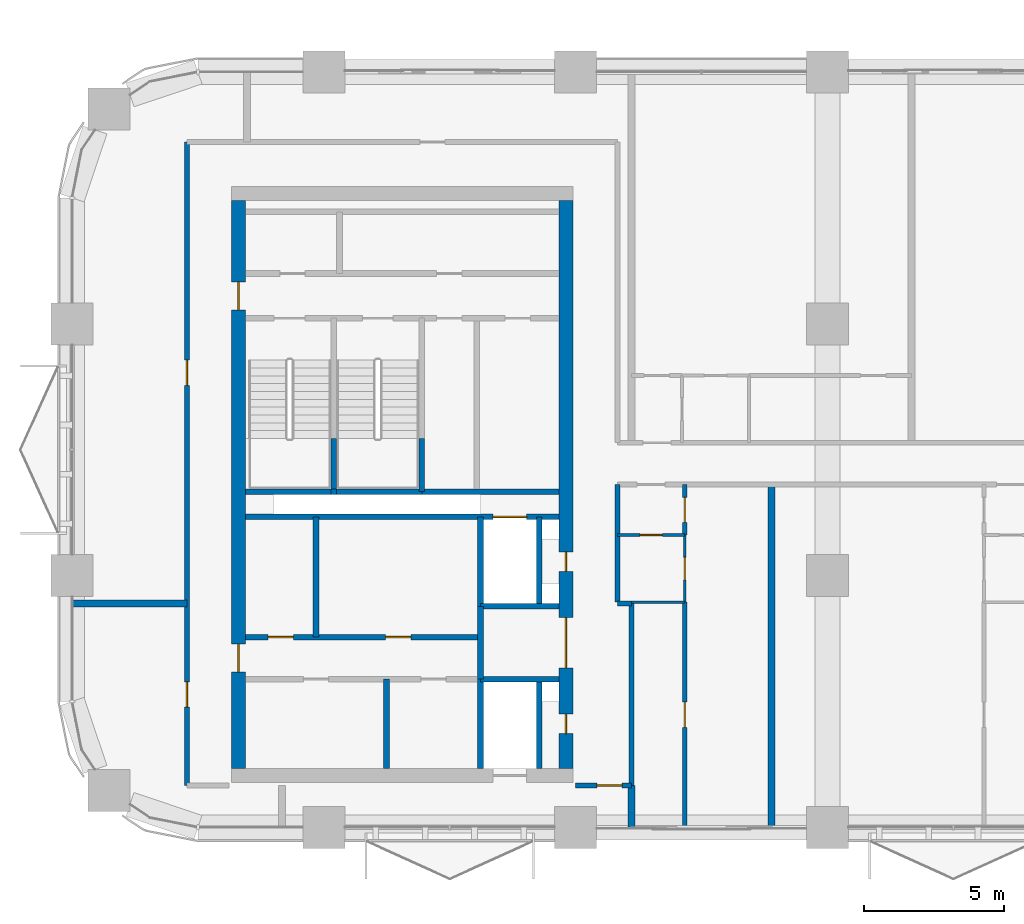
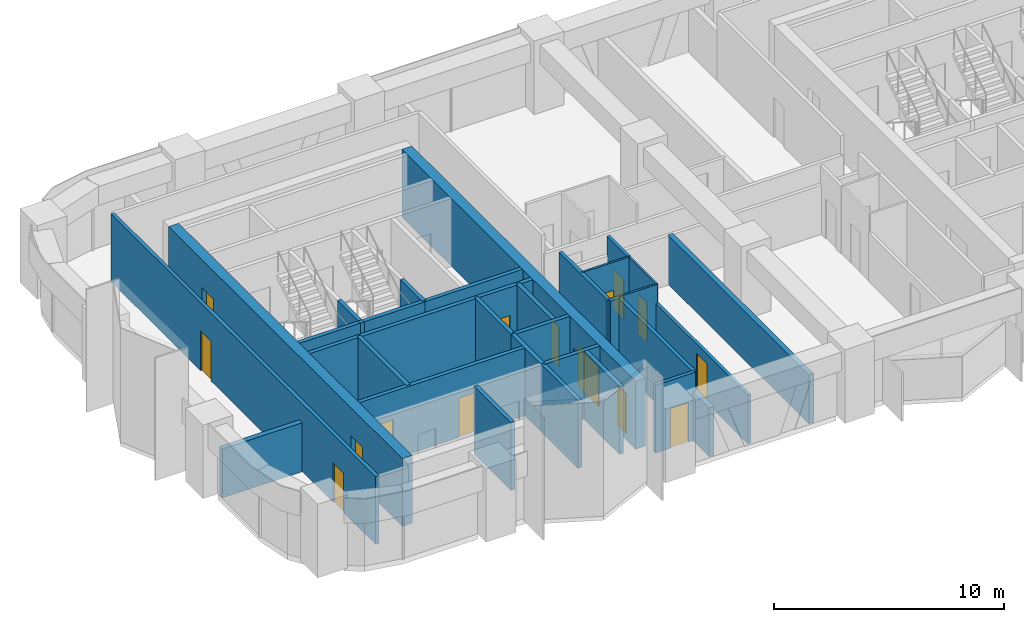
# One storey, part 8 of 14: 32 walls, 15 doors, 15 openings.
"""IFC4 building model written with IfcOpenShell, lengths in metres."""

from ifc_helpers import new_model, si_unit, direction, frame, frame_2d, origin, place, context, subcontext, project, spatial, rectangle, extrude, material, layer, layer_set, type_object, element, fill, save


model = new_model("IFC4")

# Units and contexts
model_context = context("Model", 3, precision=1e-05, world=origin(), true_north=direction((0.0, 1.0)))
body_context = subcontext(model_context, "Body", "Model", "MODEL_VIEW")
ifc_project = project(units=[si_unit("LENGTHUNIT", "METRE"), si_unit("AREAUNIT", "SQUARE_METRE"), si_unit("VOLUMEUNIT", "CUBIC_METRE"), si_unit("PLANEANGLEUNIT", "RADIAN"), si_unit("MASSUNIT", "GRAM", prefix="KILO")], contexts=[model_context])

# Site, building, storey
site_placement = place(None, origin())
site = spatial("IfcSite", under=ifc_project, at=site_placement, CompositionType="ELEMENT")
building_placement = place(site_placement, origin())
building = spatial("IfcBuilding", under=site, at=building_placement, Name="Tessera Arch", CompositionType="ELEMENT")
storey_placement = place(building_placement, frame((0.0, 0.0, 142.699951171875)))
storey = spatial("IfcBuildingStorey", under=building, at=storey_placement, Name="L33", CompositionType="ELEMENT", Elevation=142.699951171875)

# Walls
ifc_material_1 = material(Name="Gypsum board on steel stud", Category="steel")
ifc_layer_1 = layer(ifc_material_1, 0.125)
ifc_layer_set_1 = layer_set([ifc_layer_1], Name="Core partition 125 EI 60")
wall_type_1 = type_object("IfcWallType", Name="Core partition 125 EI 60", PredefinedType="PARTITIONING", material=ifc_layer_set_1)
wall_1_placement = place(storey_placement, frame((8.719970703125, 33.800048828125, 0.0), z_axis=(0.0, 0.0, 1.0), x_axis=(0.0, 1.0, 0.0)))
element("IfcWall", 1, at=wall_1_placement, inside=storey, type_object=wall_type_1, Name="L33 C2 partition wall 1", PredefinedType="PARTITIONING", context=body_context, shape_type="SweptSolid", body=[
    extrude(rectangle(XDim=4.300048828125, YDim=0.199951171875, at=frame_2d((2.14990234375, 0.0))), origin(), (0.0, 0.0, 1.0), 3.60009765625),
])
wall_2_placement = place(storey_placement, frame((11.239990234375, 29.10009765625, 0.0), z_axis=(0.0, 0.0, 1.0), x_axis=(0.0, 1.0, 0.0)))
element("IfcWall", 2, at=wall_2_placement, inside=storey, type_object=wall_type_1, Name="L33 C2 partition wall 5", PredefinedType="PARTITIONING", context=body_context, shape_type="SweptSolid", body=[
    extrude(rectangle(XDim=3.199951171875, YDim=0.199951171875, at=frame_2d((1.60009765625, 0.0))), origin(), (0.0, 0.0, 1.0), 3.60009765625),
])
wall_3_placement = place(storey_placement, frame((14.60009765625, 32.300048828125, 0.0), z_axis=(0.0, 0.0, 1.0), x_axis=(0.0, 1.0, 0.0)))
element("IfcWall", 3, at=wall_3_placement, inside=storey, type_object=wall_type_1, Name="L33 C2 partition wall 9", PredefinedType="PARTITIONING", context=body_context, shape_type="SweptSolid", body=[
    extrude(rectangle(XDim=2.599853515625, YDim=0.199951171875, at=frame_2d((1.2998046875, 0.0))), origin(), (0.0, 0.0, 1.0), 3.60009765625),
])

# Wall, openings, doors
wall_4_placement = place(storey_placement, frame((6.199951171875, 33.800048828125, 0.0), z_axis=(0.0, 0.0, 1.0), x_axis=(1.0, 0.0, 0.0)))
wall_4 = element("IfcWall", 4, at=wall_4_placement, inside=storey, type_object=wall_type_1, Name="L33 C2 partition wall 16", PredefinedType="PARTITIONING", context=body_context, shape_type="SweptSolid", body=[
    extrude(rectangle(XDim=8.400146484375, YDim=0.199951171875, at=frame_2d((4.2001953125, 0.0))), origin(), (0.0, 0.0, 1.0), 3.60009765625),
])
opening_1_placement = place(wall_4_placement, frame((0.81005859375, 0.0, 0.0)))
opening_1 = element("IfcOpeningElement", 5, at=opening_1_placement, cuts=wall_4, Name="Opening L33-C35", PredefinedType="OPENING", context=body_context, shape_type="SweptSolid", body=[
    extrude(rectangle(XDim=0.89990234375, YDim=2.10009765625, at=frame_2d((0.449951171875, 1.050048828125))), frame((0.0, 0.10986328125, 0.0), z_axis=(0.0, -1.0, 0.0), x_axis=(1.0, 0.0, 0.0)), (0.0, 0.0, 1.0), 0.219970703125),
])
opening_2_placement = place(wall_4_placement, frame((5.010009765625, 0.0, 0.0)))
opening_2 = element("IfcOpeningElement", 6, at=opening_2_placement, cuts=wall_4, Name="Opening L33-C36", PredefinedType="OPENING", context=body_context, shape_type="SweptSolid", body=[
    extrude(rectangle(XDim=0.89990234375, YDim=2.10009765625, at=frame_2d((0.449951171875, 1.050048828125))), frame((0.0, 0.10986328125, 0.0), z_axis=(0.0, -1.0, 0.0), x_axis=(1.0, 0.0, 0.0)), (0.0, 0.0, 1.0), 0.219970703125),
])
ifc_material_2 = material(Name="Steel door leaf", Category="steel")
door_type_1 = type_object("IfcDoorType", Name="Store door FD30S 900 x 2100", OperationType="SINGLE_SWING_LEFT", PredefinedType="DOOR", material=ifc_material_2)
door_1_placement = place(opening_1_placement, origin())
door_1 = element("IfcDoor", 7, at=door_1_placement, inside=storey, type_object=door_type_1, Name="L33 C2 door 16 C35 type D09", OperationType="SINGLE_SWING_LEFT", OverallHeight=2.10009765625, OverallWidth=0.89990234375, PredefinedType="DOOR", context=body_context, shape_type="SweptSolid", body=[
    extrude(rectangle(XDim=0.89990234375, YDim=2.10009765625, at=frame_2d((0.449951171875, 1.050048828125))), frame((0.0, 0.02490234375, 0.0), z_axis=(0.0, -1.0, 0.0), x_axis=(1.0, 0.0, 0.0)), (0.0, 0.0, 1.0), 0.050048828125),
])
fill(opening_1, door_1)
door_2_placement = place(opening_2_placement, origin())
door_2 = element("IfcDoor", 8, at=door_2_placement, inside=storey, type_object=door_type_1, Name="L33 C2 door 17 C36 type D09", OperationType="SINGLE_SWING_RIGHT", OverallHeight=2.10009765625, OverallWidth=0.89990234375, PredefinedType="DOOR", context=body_context, shape_type="SweptSolid", body=[
    extrude(rectangle(XDim=0.89990234375, YDim=2.10009765625, at=frame_2d((0.449951171875, 1.050048828125))), frame((0.0, 0.02490234375, 0.0), z_axis=(0.0, -1.0, 0.0), x_axis=(1.0, 0.0, 0.0)), (0.0, 0.0, 1.0), 0.050048828125),
])
fill(opening_2, door_2)

ifc_material_3 = material(Name="Concrete C60/75", Category="concrete")
ifc_layer_2 = layer(ifc_material_3, 0.5)
ifc_layer_set_2 = layer_set([ifc_layer_2], Name="Core shell wall 500 C60-75")
wall_type_2 = type_object("IfcWallType", Name="Core shell wall 500 C60-75", PredefinedType="SHEAR", material=ifc_layer_set_2)
wall_5_placement = place(storey_placement, frame((5.949951171875, 29.10009765625, 0.0), z_axis=(0.0, 0.0, 1.0), x_axis=(0.0, 1.0, 0.0)))
wall_5 = element("IfcWall", 9, at=wall_5_placement, inside=storey, type_object=wall_type_2, Name="L33 C2 core wall W", PredefinedType="SHEAR", context=body_context, shape_type="SweptSolid", body=[
    extrude(rectangle(XDim=20.2998046875, YDim=0.5, at=frame_2d((10.14990234375, 0.0))), origin(), (0.0, 0.0, 1.0), 3.60009765625),
])
opening_3_placement = place(wall_5_placement, frame((3.449951171875, 0.0, 0.0)))
opening_3 = element("IfcOpeningElement", 10, at=opening_3_placement, cuts=wall_5, Name="Opening L33-C27", PredefinedType="OPENING", context=body_context, shape_type="SweptSolid", body=[
    extrude(rectangle(XDim=1.0, YDim=2.10009765625, at=frame_2d((0.5, 1.050048828125))), frame((0.0, 0.260009765625, 0.0), z_axis=(0.0, -1.0, 0.0), x_axis=(1.0, 0.0, 0.0)), (0.0, 0.0, 1.0), 0.52001953125),
])
opening_4_placement = place(wall_5_placement, frame((16.39990234375, 0.0, 0.0)))
opening_4 = element("IfcOpeningElement", 11, at=opening_4_placement, cuts=wall_5, Name="Opening L33-C28", PredefinedType="OPENING", context=body_context, shape_type="SweptSolid", body=[
    extrude(rectangle(XDim=1.0, YDim=2.10009765625, at=frame_2d((0.5, 1.050048828125))), frame((0.0, 0.260009765625, 0.0), z_axis=(0.0, -1.0, 0.0), x_axis=(1.0, 0.0, 0.0)), (0.0, 0.0, 1.0), 0.52001953125),
])
ifc_material_4 = material(Name="Steel door leaf", Category="steel")
door_type_2 = type_object("IfcDoorType", Name="Corridor door FD60 1000 x 2100", OperationType="SINGLE_SWING_LEFT", PredefinedType="DOOR", material=ifc_material_4)
door_3_placement = place(opening_3_placement, origin())
door_3 = element("IfcDoor", 12, at=door_3_placement, inside=storey, type_object=door_type_2, Name="L33 C2 door 8 C27 type D12", OperationType="SINGLE_SWING_LEFT", OverallHeight=2.10009765625, OverallWidth=1.0, PredefinedType="DOOR", context=body_context, shape_type="SweptSolid", body=[
    extrude(rectangle(XDim=1.0, YDim=2.10009765625, at=frame_2d((0.5, 1.050048828125))), frame((0.0, 0.02490234375, 0.0), z_axis=(0.0, -1.0, 0.0), x_axis=(1.0, 0.0, 0.0)), (0.0, 0.0, 1.0), 0.050048828125),
])
fill(opening_3, door_3)
door_4_placement = place(opening_4_placement, origin())
door_4 = element("IfcDoor", 13, at=door_4_placement, inside=storey, type_object=door_type_2, Name="L33 C2 door 9 C28 type D12", OperationType="SINGLE_SWING_RIGHT", OverallHeight=2.10009765625, OverallWidth=1.0, PredefinedType="DOOR", context=body_context, shape_type="SweptSolid", body=[
    extrude(rectangle(XDim=1.0, YDim=2.10009765625, at=frame_2d((0.5, 1.050048828125))), frame((0.0, 0.02490234375, 0.0), z_axis=(0.0, -1.0, 0.0), x_axis=(1.0, 0.0, 0.0)), (0.0, 0.0, 1.0), 0.050048828125),
])
fill(opening_4, door_4)

wall_6_placement = place(storey_placement, frame((17.64990234375, 29.10009765625, 0.0), z_axis=(0.0, 0.0, 1.0), x_axis=(0.0, 1.0, 0.0)))
wall_6 = element("IfcWall", 14, at=wall_6_placement, inside=storey, type_object=wall_type_2, Name="L33 C2 core wall E", PredefinedType="SHEAR", context=body_context, shape_type="SweptSolid", body=[
    extrude(rectangle(XDim=20.2998046875, YDim=0.5, at=frame_2d((10.14990234375, 0.0))), origin(), (0.0, 0.0, 1.0), 3.60009765625),
])
opening_5_placement = place(wall_6_placement, frame((1.25, 0.0, 0.0)))
opening_5 = element("IfcOpeningElement", 15, at=opening_5_placement, cuts=wall_6, Name="Opening L33-C22", PredefinedType="OPENING", context=body_context, shape_type="SweptSolid", body=[
    extrude(rectangle(XDim=0.699951171875, YDim=2.10009765625, at=frame_2d((0.35009765625, 1.050048828125))), frame((0.0, 0.260009765625, 0.0), z_axis=(0.0, -1.0, 0.0), x_axis=(1.0, 0.0, 0.0)), (0.0, 0.0, 1.0), 0.52001953125),
])
opening_6_placement = place(wall_6_placement, frame((7.050048828125, 0.0, 0.0)))
opening_6 = element("IfcOpeningElement", 16, at=opening_6_placement, cuts=wall_6, Name="Opening L33-C23", PredefinedType="OPENING", context=body_context, shape_type="SweptSolid", body=[
    extrude(rectangle(XDim=0.699951171875, YDim=2.10009765625, at=frame_2d((0.35009765625, 1.050048828125))), frame((0.0, 0.260009765625, 0.0), z_axis=(0.0, -1.0, 0.0), x_axis=(1.0, 0.0, 0.0)), (0.0, 0.0, 1.0), 0.52001953125),
])
opening_7_placement = place(wall_6_placement, frame((3.60009765625, 0.0, 0.0)))
opening_7 = element("IfcOpeningElement", 17, at=opening_7_placement, cuts=wall_6, Name="Opening L33-C26", PredefinedType="OPENING", context=body_context, shape_type="SweptSolid", body=[
    extrude(rectangle(XDim=1.800048828125, YDim=2.10009765625, at=frame_2d((0.89990234375, 1.050048828125))), frame((0.0, 0.260009765625, 0.0), z_axis=(0.0, -1.0, 0.0), x_axis=(1.0, 0.0, 0.0)), (0.0, 0.0, 1.0), 0.52001953125),
])
ifc_material_5 = material(Name="Glazed steel door leaf", Category="steel")
door_type_3 = type_object("IfcDoorType", Name="Lobby double door FD30S 1800 x 2100", OperationType="DOUBLE_DOOR_SINGLE_SWING", PredefinedType="DOOR", material=ifc_material_5)
door_5_placement = place(opening_7_placement, origin())
door_5 = element("IfcDoor", 18, at=door_5_placement, inside=storey, type_object=door_type_3, Name="L33 C2 door 7 C26 type D06", OperationType="DOUBLE_DOOR_SINGLE_SWING", OverallHeight=2.10009765625, OverallWidth=1.800048828125, PredefinedType="DOOR", context=body_context, shape_type="SweptSolid", body=[
    extrude(rectangle(XDim=1.800048828125, YDim=2.10009765625, at=frame_2d((0.89990234375, 1.050048828125))), frame((0.0, 0.02490234375, 0.0), z_axis=(0.0, -1.0, 0.0), x_axis=(1.0, 0.0, 0.0)), (0.0, 0.0, 1.0), 0.050048828125),
])
fill(opening_7, door_5)
ifc_material_6 = material(Name="Steel door leaf", Category="steel")
door_type_4 = type_object("IfcDoorType", Name="Service shaft door FD60 700 x 2100", OperationType="SINGLE_SWING_LEFT", PredefinedType="DOOR", material=ifc_material_6)
door_6_placement = place(opening_5_placement, origin())
door_6 = element("IfcDoor", 19, at=door_6_placement, inside=storey, type_object=door_type_4, Name="L33 C2 door 3 C22 type D07", OperationType="SINGLE_SWING_LEFT", OverallHeight=2.10009765625, OverallWidth=0.699951171875, PredefinedType="DOOR", context=body_context, shape_type="SweptSolid", body=[
    extrude(rectangle(XDim=0.699951171875, YDim=2.10009765625, at=frame_2d((0.35009765625, 1.050048828125))), frame((0.0, 0.02490234375, 0.0), z_axis=(0.0, -1.0, 0.0), x_axis=(1.0, 0.0, 0.0)), (0.0, 0.0, 1.0), 0.050048828125),
])
fill(opening_5, door_6)
door_7_placement = place(opening_6_placement, origin())
door_7 = element("IfcDoor", 20, at=door_7_placement, inside=storey, type_object=door_type_4, Name="L33 C2 door 4 C23 type D07", OperationType="SINGLE_SWING_LEFT", OverallHeight=2.10009765625, OverallWidth=0.699951171875, PredefinedType="DOOR", context=body_context, shape_type="SweptSolid", body=[
    extrude(rectangle(XDim=0.699951171875, YDim=2.10009765625, at=frame_2d((0.35009765625, 1.050048828125))), frame((0.0, 0.02490234375, 0.0), z_axis=(0.0, -1.0, 0.0), x_axis=(1.0, 0.0, 0.0)), (0.0, 0.0, 1.0), 0.050048828125),
])
fill(opening_6, door_7)

# Wall, opening, door
ifc_material_7 = material(Name="Gypsum board on deep steel stud with mineral wool", Category="steel")
ifc_layer_3 = layer(ifc_material_7, 0.175048828125)
ifc_layer_set_3 = layer_set([ifc_layer_3], Name="Corridor wall 175 EI 60")
wall_type_3 = type_object("IfcWallType", Name="Corridor wall 175 EI 60", PredefinedType="PARTITIONING", material=ifc_layer_set_3)
wall_7_placement = place(storey_placement, frame((18.0, 28.5, 0.0), z_axis=(0.0, 0.0, 1.0), x_axis=(1.0, 0.0, 0.0)))
wall_7 = element("IfcWall", 21, at=wall_7_placement, inside=storey, type_object=wall_type_3, Name="L33 partition 2", PredefinedType="PARTITIONING", context=body_context, shape_type="SweptSolid", body=[
    extrude(rectangle(XDim=2.0, YDim=0.175048828125, at=frame_2d((1.0, 0.0))), origin(), (0.0, 0.0, 1.0), 3.60009765625),
])
opening_8_placement = place(wall_7_placement, frame((0.760009765625, 0.0, 0.0)))
opening_8 = element("IfcOpeningElement", 22, at=opening_8_placement, cuts=wall_7, Name="Opening L33-D022", PredefinedType="OPENING", context=body_context, shape_type="SweptSolid", body=[
    extrude(rectangle(XDim=0.89990234375, YDim=2.10009765625, at=frame_2d((0.449951171875, 1.050048828125))), frame((0.0, 0.097412109375, 0.0), z_axis=(0.0, -1.0, 0.0), x_axis=(1.0, 0.0, 0.0)), (0.0, 0.0, 1.0), 0.195068359375),
])
ifc_material_8 = material(Name="Timber door leaf", Category="wood")
door_type_5 = type_object("IfcDoorType", Name="Room door 900 x 2100", OperationType="SINGLE_SWING_LEFT", PredefinedType="DOOR", material=ifc_material_8)
door_8_placement = place(opening_8_placement, origin())
door_8 = element("IfcDoor", 23, at=door_8_placement, inside=storey, type_object=door_type_5, Name="L33 door D022 type D01", OperationType="SINGLE_SWING_LEFT", OverallHeight=2.10009765625, OverallWidth=0.89990234375, PredefinedType="DOOR", context=body_context, shape_type="SweptSolid", body=[
    extrude(rectangle(XDim=0.89990234375, YDim=2.10009765625, at=frame_2d((0.449951171875, 1.050048828125))), frame((0.0, 0.02490234375, 0.0), z_axis=(0.0, -1.0, 0.0), x_axis=(1.0, 0.0, 0.0)), (0.0, 0.0, 1.0), 0.050048828125),
])
fill(opening_8, door_8)

# Wall
wall_8_placement = place(storey_placement, frame((19.5, 35.0, 0.0), z_axis=(0.0, 0.0, 1.0), x_axis=(1.0, 0.0, 0.0)))
element("IfcWall", 24, at=wall_8_placement, inside=storey, type_object=wall_type_3, Name="L33 partition 5", PredefinedType="PARTITIONING", context=body_context, shape_type="SweptSolid", body=[
    extrude(rectangle(XDim=0.5, YDim=0.175048828125, at=frame_2d((0.25, 0.0))), origin(), (0.0, 0.0, 1.0), 3.60009765625),
])

# Wall, openings, doors
wall_9_placement = place(storey_placement, frame((4.10009765625, 28.5, 0.0), z_axis=(0.0, 0.0, 1.0), x_axis=(0.0, 1.0, 0.0)))
wall_9 = element("IfcWall", 25, at=wall_9_placement, inside=storey, type_object=wall_type_3, Name="L33 partition 10", PredefinedType="PARTITIONING", context=body_context, shape_type="SweptSolid", body=[
    extrude(rectangle(XDim=23.0, YDim=0.175048828125, at=frame_2d((11.5, 0.0))), origin(), (0.0, 0.0, 1.0), 3.60009765625),
])
opening_9_placement = place(wall_9_placement, frame((2.800048828125, 0.0, 0.0)))
opening_9 = element("IfcOpeningElement", 26, at=opening_9_placement, cuts=wall_9, Name="Opening L33-D001", PredefinedType="OPENING", context=body_context, shape_type="SweptSolid", body=[
    extrude(rectangle(XDim=0.89990234375, YDim=2.10009765625, at=frame_2d((0.449951171875, 1.050048828125))), frame((0.0, 0.097412109375, 0.0), z_axis=(0.0, -1.0, 0.0), x_axis=(1.0, 0.0, 0.0)), (0.0, 0.0, 1.0), 0.195068359375),
])
opening_10_placement = place(wall_9_placement, frame((14.300048828125, 0.0, 0.0)))
opening_10 = element("IfcOpeningElement", 27, at=opening_10_placement, cuts=wall_9, Name="Opening L33-D013", PredefinedType="OPENING", context=body_context, shape_type="SweptSolid", body=[
    extrude(rectangle(XDim=0.89990234375, YDim=2.10009765625, at=frame_2d((0.449951171875, 1.050048828125))), frame((0.0, 0.097412109375, 0.0), z_axis=(0.0, -1.0, 0.0), x_axis=(1.0, 0.0, 0.0)), (0.0, 0.0, 1.0), 0.195068359375),
])
door_9_placement = place(opening_9_placement, origin())
door_9 = element("IfcDoor", 28, at=door_9_placement, inside=storey, type_object=door_type_5, Name="L33 door D001 type D01", OperationType="SINGLE_SWING_RIGHT", OverallHeight=2.10009765625, OverallWidth=0.89990234375, PredefinedType="DOOR", context=body_context, shape_type="SweptSolid", body=[
    extrude(rectangle(XDim=0.89990234375, YDim=2.10009765625, at=frame_2d((0.449951171875, 1.050048828125))), frame((0.0, 0.02490234375, 0.0), z_axis=(0.0, -1.0, 0.0), x_axis=(1.0, 0.0, 0.0)), (0.0, 0.0, 1.0), 0.050048828125),
])
fill(opening_9, door_9)
door_10_placement = place(opening_10_placement, origin())
door_10 = element("IfcDoor", 29, at=door_10_placement, inside=storey, type_object=door_type_5, Name="L33 door D013 type D01", OperationType="SINGLE_SWING_RIGHT", OverallHeight=2.10009765625, OverallWidth=0.89990234375, PredefinedType="DOOR", context=body_context, shape_type="SweptSolid", body=[
    extrude(rectangle(XDim=0.89990234375, YDim=2.10009765625, at=frame_2d((0.449951171875, 1.050048828125))), frame((0.0, 0.02490234375, 0.0), z_axis=(0.0, -1.0, 0.0), x_axis=(1.0, 0.0, 0.0)), (0.0, 0.0, 1.0), 0.050048828125),
])
fill(opening_10, door_10)

# Walls
wall_10_placement = place(storey_placement, frame((19.5, 35.050048828125, 0.0), z_axis=(0.0, 0.0, 1.0), x_axis=(0.0, 1.0, 0.0)))
element("IfcWall", 30, at=wall_10_placement, inside=storey, type_object=wall_type_3, Name="L33 partition 11", PredefinedType="PARTITIONING", context=body_context, shape_type="SweptSolid", body=[
    extrude(rectangle(XDim=4.199951171875, YDim=0.175048828125, at=frame_2d((2.10009765625, 0.0))), origin(), (0.0, 0.0, 1.0), 3.60009765625),
])
wall_11_placement = place(storey_placement, frame((20.0, 28.5, 0.0), z_axis=(0.0, 0.0, 1.0), x_axis=(0.0, 1.0, 0.0)))
element("IfcWall", 31, at=wall_11_placement, inside=storey, type_object=wall_type_3, Name="L33 partition 13", PredefinedType="PARTITIONING", context=body_context, shape_type="SweptSolid", body=[
    extrude(rectangle(XDim=6.5, YDim=0.175048828125, at=frame_2d((3.25, 0.0))), origin(), (0.0, 0.0, 1.0), 3.60009765625),
])

# Wall, opening, door
ifc_material_9 = material(Name="Gypsum board on steel stud", Category="steel")
ifc_layer_4 = layer(ifc_material_9, 0.14990234375)
ifc_layer_set_4 = layer_set([ifc_layer_4], Name="Partition 150")
wall_type_4 = type_object("IfcWallType", Name="Partition 150", PredefinedType="PARTITIONING", material=ifc_layer_set_4)
wall_12_placement = place(storey_placement, frame((21.89990234375, 27.0, 0.0), z_axis=(0.0, 0.0, 1.0), x_axis=(0.0, 1.0, 0.0)))
wall_12 = element("IfcWall", 32, at=wall_12_placement, inside=storey, type_object=wall_type_4, Name="L33 partition 19", PredefinedType="PARTITIONING", context=body_context, shape_type="SweptSolid", body=[
    extrude(rectangle(XDim=8.050048828125, YDim=0.14990234375, at=frame_2d((4.02490234375, 0.0))), origin(), (0.0, 0.0, 1.0), 2.60009765625),
])
opening_11_placement = place(wall_12_placement, frame((3.574951171875, 0.0, 0.0)))
opening_11 = element("IfcOpeningElement", 33, at=opening_11_placement, cuts=wall_12, Name="Opening L33-D011", PredefinedType="OPENING", context=body_context, shape_type="SweptSolid", body=[
    extrude(rectangle(XDim=0.89990234375, YDim=2.10009765625, at=frame_2d((0.449951171875, 1.050048828125))), frame((0.0, 0.0849609375, 0.0), z_axis=(0.0, -1.0, 0.0), x_axis=(1.0, 0.0, 0.0)), (0.0, 0.0, 1.0), 0.169921875),
])
door_11_placement = place(opening_11_placement, origin())
door_11 = element("IfcDoor", 34, at=door_11_placement, inside=storey, type_object=door_type_5, Name="L33 door D011 type D01", OperationType="SINGLE_SWING_RIGHT", OverallHeight=2.10009765625, OverallWidth=0.89990234375, PredefinedType="DOOR", context=body_context, shape_type="SweptSolid", body=[
    extrude(rectangle(XDim=0.89990234375, YDim=2.10009765625, at=frame_2d((0.449951171875, 1.050048828125))), frame((0.0, 0.02490234375, 0.0), z_axis=(0.0, -1.0, 0.0), x_axis=(1.0, 0.0, 0.0)), (0.0, 0.0, 1.0), 0.050048828125),
])
fill(opening_11, door_11)

wall_13_placement = place(storey_placement, frame((21.89990234375, 37.449951171875, 0.0), z_axis=(0.0, 0.0, 1.0), x_axis=(0.0, 1.0, 0.0)))
wall_13 = element("IfcWall", 35, at=wall_13_placement, inside=storey, type_object=wall_type_4, Name="L33 partition 20", PredefinedType="PARTITIONING", context=body_context, shape_type="SweptSolid", body=[
    extrude(rectangle(XDim=1.800048828125, YDim=0.14990234375, at=frame_2d((0.89990234375, 0.0))), origin(), (0.0, 0.0, 1.0), 3.60009765625),
])
opening_12_placement = place(wall_13_placement, frame((0.449951171875, 0.0, 0.0)))
opening_12 = element("IfcOpeningElement", 36, at=opening_12_placement, cuts=wall_13, Name="Opening L33-D008", PredefinedType="OPENING", context=body_context, shape_type="SweptSolid", body=[
    extrude(rectangle(XDim=0.89990234375, YDim=2.10009765625, at=frame_2d((0.449951171875, 1.050048828125))), frame((0.0, 0.0849609375, 0.0), z_axis=(0.0, -1.0, 0.0), x_axis=(1.0, 0.0, 0.0)), (0.0, 0.0, 1.0), 0.169921875),
])
door_12_placement = place(opening_12_placement, origin())
door_12 = element("IfcDoor", 37, at=door_12_placement, inside=storey, type_object=door_type_5, Name="L33 door D008 type D01", OperationType="SINGLE_SWING_RIGHT", OverallHeight=2.10009765625, OverallWidth=0.89990234375, PredefinedType="DOOR", context=body_context, shape_type="SweptSolid", body=[
    extrude(rectangle(XDim=0.89990234375, YDim=2.10009765625, at=frame_2d((0.449951171875, 1.050048828125))), frame((0.0, 0.02490234375, 0.0), z_axis=(0.0, -1.0, 0.0), x_axis=(1.0, 0.0, 0.0)), (0.0, 0.0, 1.0), 0.050048828125),
])
fill(opening_12, door_12)

# Walls
ifc_material_10 = material(Name="Double gypsum board on twin steel stud with acoustic mineral wool", Category="steel")
ifc_layer_5 = layer(ifc_material_10, 0.25)
ifc_layer_set_5 = layer_set([ifc_layer_5], Name="Party wall 250 EI 60")
wall_type_5 = type_object("IfcWallType", Name="Party wall 250 EI 60", PredefinedType="PARTITIONING", material=ifc_layer_set_5)
wall_14_placement = place(storey_placement, frame((0.0, 35.0, 0.0), z_axis=(0.0, 0.0, 1.0), x_axis=(1.0, 0.0, 0.0)))
element("IfcWall", 38, at=wall_14_placement, inside=storey, type_object=wall_type_5, Name="L33 partition 23", PredefinedType="PARTITIONING", context=body_context, shape_type="SweptSolid", body=[
    extrude(rectangle(XDim=4.10009765625, YDim=0.25, at=frame_2d((2.050048828125, 0.0))), origin(), (0.0, 0.0, 1.0), 2.60009765625),
])
wall_15_placement = place(storey_placement, frame((20.0, 27.0, 0.0), z_axis=(0.0, 0.0, 1.0), x_axis=(0.0, 1.0, 0.0)))
element("IfcWall", 39, at=wall_15_placement, inside=storey, type_object=wall_type_5, Name="L33 partition 26", PredefinedType="PARTITIONING", context=body_context, shape_type="SweptSolid", body=[
    extrude(rectangle(XDim=1.5, YDim=0.25, at=frame_2d((0.75, 0.0))), origin(), (0.0, 0.0, 1.0), 2.60009765625),
])
wall_16_placement = place(storey_placement, frame((25.0, 27.0, 0.0), z_axis=(0.0, 0.0, 1.0), x_axis=(0.0, 1.0, 0.0)))
element("IfcWall", 40, at=wall_16_placement, inside=storey, type_object=wall_type_5, Name="L33 partition 28", PredefinedType="PARTITIONING", context=body_context, shape_type="SweptSolid", body=[
    extrude(rectangle(XDim=12.25, YDim=0.25, at=frame_2d((6.125, 0.0))), origin(), (0.0, 0.0, 1.0), 2.60009765625),
])
ifc_material_11 = material(Name="Concrete C40/50", Category="concrete")
ifc_layer_6 = layer(ifc_material_11, 0.199951171875)
ifc_layer_set_6 = layer_set([ifc_layer_6], Name="Shaft wall 200 EI 120")
wall_type_6 = type_object("IfcWallType", Name="Shaft wall 200 EI 120", PredefinedType="SOLIDWALL", material=ifc_layer_set_6)
wall_17_placement = place(storey_placement, frame((14.60009765625, 29.10009765625, 0.0), z_axis=(0.0, 0.0, 1.0), x_axis=(0.0, 1.0, 0.0)))
element("IfcWall", 41, at=wall_17_placement, inside=storey, type_object=wall_type_6, Name="L33 C2 shaft wall 10", PredefinedType="SOLIDWALL", context=body_context, shape_type="SweptSolid", body=[
    extrude(rectangle(XDim=3.199951171875, YDim=0.199951171875, at=frame_2d((1.60009765625, 0.0))), origin(), (0.0, 0.0, 1.0), 3.60009765625),
])
wall_18_placement = place(storey_placement, frame((14.60009765625, 34.89990234375, 0.0), z_axis=(0.0, 0.0, 1.0), x_axis=(0.0, 1.0, 0.0)))
element("IfcWall", 42, at=wall_18_placement, inside=storey, type_object=wall_type_6, Name="L33 C2 shaft wall 11", PredefinedType="SOLIDWALL", context=body_context, shape_type="SweptSolid", body=[
    extrude(rectangle(XDim=3.2001953125, YDim=0.199951171875, at=frame_2d((1.60009765625, 0.0))), origin(), (0.0, 0.0, 1.0), 3.60009765625),
])
wall_19_placement = place(storey_placement, frame((16.699951171875, 29.10009765625, 0.0), z_axis=(0.0, 0.0, 1.0), x_axis=(0.0, 1.0, 0.0)))
element("IfcWall", 43, at=wall_19_placement, inside=storey, type_object=wall_type_6, Name="L33 C2 shaft wall 12", PredefinedType="SOLIDWALL", context=body_context, shape_type="SweptSolid", body=[
    extrude(rectangle(XDim=3.199951171875, YDim=0.199951171875, at=frame_2d((1.60009765625, 0.0))), origin(), (0.0, 0.0, 1.0), 3.60009765625),
])
wall_20_placement = place(storey_placement, frame((16.699951171875, 34.89990234375, 0.0), z_axis=(0.0, 0.0, 1.0), x_axis=(0.0, 1.0, 0.0)))
element("IfcWall", 44, at=wall_20_placement, inside=storey, type_object=wall_type_6, Name="L33 C2 shaft wall 13", PredefinedType="SOLIDWALL", context=body_context, shape_type="SweptSolid", body=[
    extrude(rectangle(XDim=3.2001953125, YDim=0.199951171875, at=frame_2d((1.60009765625, 0.0))), origin(), (0.0, 0.0, 1.0), 3.60009765625),
])
for number, where, z_axis, x_axis, name in (
    (45, (14.60009765625, 32.300048828125, 0.0), (0.0, 0.0, 1.0), (1.0, 0.0, 0.0), "L33 C2 shaft wall 15"),
    (46, (14.60009765625, 34.89990234375, 0.0), (0.0, 0.0, 1.0), (1.0, 0.0, 0.0), "L33 C2 shaft wall 17"),
):
    element("IfcWall", number, at=place(storey_placement, frame(where, z_axis=z_axis, x_axis=x_axis)), inside=storey, type_object=wall_type_6, Name=name, PredefinedType="SOLIDWALL", context=body_context, shape_type="SweptSolid", body=[
        extrude(rectangle(XDim=2.7998046875, YDim=0.199951171875, at=frame_2d((1.39990234375, 0.0))), origin(), (0.0, 0.0, 1.0), 3.60009765625),
    ])

# Wall, opening, door
wall_21_placement = place(storey_placement, frame((6.199951171875, 38.10009765625, 0.0), z_axis=(0.0, 0.0, 1.0), x_axis=(1.0, 0.0, 0.0)))
wall_21 = element("IfcWall", 47, at=wall_21_placement, inside=storey, type_object=wall_type_6, Name="L33 C2 shaft wall 18", PredefinedType="SOLIDWALL", context=body_context, shape_type="SweptSolid", body=[
    extrude(rectangle(XDim=11.199951171875, YDim=0.199951171875, at=frame_2d((5.60009765625, 0.0))), origin(), (0.0, 0.0, 1.0), 3.60009765625),
])
opening_13_placement = place(wall_21_placement, frame((8.85009765625, 0.0, 0.0)))
opening_13 = element("IfcOpeningElement", 48, at=opening_13_placement, cuts=wall_21, Name="Opening L33-C21", PredefinedType="OPENING", context=body_context, shape_type="SweptSolid", body=[
    extrude(rectangle(XDim=1.199951171875, YDim=2.10009765625, at=frame_2d((0.60009765625, 1.050048828125))), frame((0.0, 0.10986328125, 0.0), z_axis=(0.0, -1.0, 0.0), x_axis=(1.0, 0.0, 0.0)), (0.0, 0.0, 1.0), 0.219970703125),
])
ifc_material_12 = material(Name="Stainless steel AISI 304", Category="steel")
door_type_6 = type_object("IfcDoorType", Name="Sliding landing door 1200 x 2100", OperationType="SLIDING_TO_LEFT", PredefinedType="DOOR", material=ifc_material_12)
door_13_placement = place(opening_13_placement, origin())
door_13 = element("IfcDoor", 49, at=door_13_placement, inside=storey, type_object=door_type_6, Name="L33 HR8 lift landing door C21 type LD", OperationType="SLIDING_TO_LEFT", OverallHeight=2.10009765625, OverallWidth=1.199951171875, PredefinedType="DOOR", context=body_context, shape_type="SweptSolid", body=[
    extrude(rectangle(XDim=1.199951171875, YDim=2.10009765625, at=frame_2d((0.60009765625, 1.050048828125))), frame((0.0, 0.02490234375, 0.0), z_axis=(0.0, -1.0, 0.0), x_axis=(1.0, 0.0, 0.0)), (0.0, 0.0, 1.0), 0.050048828125),
])
fill(opening_13, door_13)

# Walls
wall_22_placement = place(storey_placement, frame((12.5, 39.0, 0.0), z_axis=(0.0, 0.0, 1.0), x_axis=(1.0, 0.0, 0.0)))
element("IfcWall", 50, at=wall_22_placement, inside=storey, type_object=wall_type_6, Name="L33 C2 shaft wall 19", PredefinedType="SOLIDWALL", context=body_context, shape_type="SweptSolid", body=[
    extrude(rectangle(XDim=4.89990234375, YDim=0.199951171875, at=frame_2d((2.449951171875, 0.0))), origin(), (0.0, 0.0, 1.0), 3.60009765625),
])
ifc_material_13 = material(Name="Concrete C40/50", Category="concrete")
ifc_layer_7 = layer(ifc_material_13, 0.199951171875)
ifc_layer_set_7 = layer_set([ifc_layer_7], Name="Stair well wall 200 REI 180")
wall_type_7 = type_object("IfcWallType", Name="Stair well wall 200 REI 180", PredefinedType="SOLIDWALL", material=ifc_layer_set_7)
for number, where, z_axis, x_axis, name in (
    (51, (9.35009765625, 39.0, 0.0), (0.0, 0.0, 1.0), (0.0, 1.0, 0.0), "L33 C2 shaft wall 2"),
    (52, (12.5, 39.0, 0.0), (0.0, 0.0, 1.0), (0.0, 1.0, 0.0), "L33 C2 shaft wall 6"),
):
    element("IfcWall", number, at=place(storey_placement, frame(where, z_axis=z_axis, x_axis=x_axis)), inside=storey, type_object=wall_type_7, Name=name, PredefinedType="SOLIDWALL", context=body_context, shape_type="SweptSolid", body=[
        extrude(rectangle(XDim=1.89990234375, YDim=0.199951171875, at=frame_2d((0.949951171875, 0.0))), origin(), (0.0, 0.0, 1.0), 3.60009765625),
    ])
wall_23_placement = place(storey_placement, frame((6.199951171875, 39.0, 0.0), z_axis=(0.0, 0.0, 1.0), x_axis=(1.0, 0.0, 0.0)))
element("IfcWall", 53, at=wall_23_placement, inside=storey, type_object=wall_type_7, Name="L33 C2 shaft wall 20", PredefinedType="SOLIDWALL", context=body_context, shape_type="SweptSolid", body=[
    extrude(rectangle(XDim=3.050048828125, YDim=0.199951171875, at=frame_2d((1.52490234375, 0.0))), origin(), (0.0, 0.0, 1.0), 3.60009765625),
])
wall_24_placement = place(storey_placement, frame((9.25, 39.0, 0.0), z_axis=(0.0, 0.0, 1.0), x_axis=(1.0, 0.0, 0.0)))
element("IfcWall", 54, at=wall_24_placement, inside=storey, type_object=wall_type_7, Name="L33 C2 shaft wall 21", PredefinedType="SOLIDWALL", context=body_context, shape_type="SweptSolid", body=[
    extrude(rectangle(XDim=0.199951171875, YDim=0.199951171875, at=frame_2d((0.10009765625, 0.0))), origin(), (0.0, 0.0, 1.0), 3.60009765625),
])
wall_25_placement = place(storey_placement, frame((9.449951171875, 39.0, 0.0), z_axis=(0.0, 0.0, 1.0), x_axis=(1.0, 0.0, 0.0)))
element("IfcWall", 55, at=wall_25_placement, inside=storey, type_object=wall_type_7, Name="L33 C2 shaft wall 22", PredefinedType="SOLIDWALL", context=body_context, shape_type="SweptSolid", body=[
    extrude(rectangle(XDim=3.050048828125, YDim=0.199951171875, at=frame_2d((1.52490234375, 0.0))), origin(), (0.0, 0.0, 1.0), 3.60009765625),
])
ifc_material_14 = material(Name="Moisture-resistant board on pre-plumbed steel stud", Category="steel")
ifc_layer_8 = layer(ifc_material_14, 0.10009765625)
ifc_layer_set_8 = layer_set([ifc_layer_8], Name="Wet wall 100")
wall_type_8 = type_object("IfcWallType", Name="Wet wall 100", PredefinedType="PARTITIONING", material=ifc_layer_set_8)
wall_26_placement = place(storey_placement, frame((19.5, 35.050048828125, 0.0), z_axis=(0.0, 0.0, 1.0), x_axis=(1.0, 0.0, 0.0)))
element("IfcWall", 56, at=wall_26_placement, inside=storey, type_object=wall_type_8, Name="L33 partition 33", PredefinedType="PARTITIONING", context=body_context, shape_type="SweptSolid", body=[
    extrude(rectangle(XDim=2.39990234375, YDim=0.10009765625, at=frame_2d((1.199951171875, 0.0))), origin(), (0.0, 0.0, 1.0), 3.60009765625),
])

# Wall, opening, door
wall_27_placement = place(storey_placement, frame((19.5, 37.449951171875, 0.0), z_axis=(0.0, 0.0, 1.0), x_axis=(1.0, 0.0, 0.0)))
wall_27 = element("IfcWall", 57, at=wall_27_placement, inside=storey, type_object=wall_type_8, Name="L33 partition 35", PredefinedType="PARTITIONING", context=body_context, shape_type="SweptSolid", body=[
    extrude(rectangle(XDim=2.39990234375, YDim=0.10009765625, at=frame_2d((1.199951171875, 0.0))), origin(), (0.0, 0.0, 1.0), 3.60009765625),
])
opening_14_placement = place(wall_27_placement, frame((0.800048828125, 0.0, 0.0)))
opening_14 = element("IfcOpeningElement", 58, at=opening_14_placement, cuts=wall_27, Name="Opening L33-D009", PredefinedType="OPENING", context=body_context, shape_type="SweptSolid", body=[
    extrude(rectangle(XDim=0.800048828125, YDim=2.10009765625, at=frame_2d((0.39990234375, 1.050048828125))), frame((0.0, 0.06005859375, 0.0), z_axis=(0.0, -1.0, 0.0), x_axis=(1.0, 0.0, 0.0)), (0.0, 0.0, 1.0), 0.1201171875),
])
ifc_material_15 = material(Name="Timber door leaf", Category="wood")
door_type_7 = type_object("IfcDoorType", Name="En-suite door 800 x 2100", OperationType="SINGLE_SWING_LEFT", PredefinedType="DOOR", material=ifc_material_15)
door_14_placement = place(opening_14_placement, origin())
door_14 = element("IfcDoor", 59, at=door_14_placement, inside=storey, type_object=door_type_7, Name="L33 door D009 type D02", OperationType="SINGLE_SWING_LEFT", OverallHeight=2.10009765625, OverallWidth=0.800048828125, PredefinedType="DOOR", context=body_context, shape_type="SweptSolid", body=[
    extrude(rectangle(XDim=0.800048828125, YDim=2.10009765625, at=frame_2d((0.39990234375, 1.050048828125))), frame((0.0, 0.02490234375, 0.0), z_axis=(0.0, -1.0, 0.0), x_axis=(1.0, 0.0, 0.0)), (0.0, 0.0, 1.0), 0.050048828125),
])
fill(opening_14, door_14)

wall_28_placement = place(storey_placement, frame((21.89990234375, 35.050048828125, 0.0), z_axis=(0.0, 0.0, 1.0), x_axis=(0.0, 1.0, 0.0)))
wall_28 = element("IfcWall", 60, at=wall_28_placement, inside=storey, type_object=wall_type_8, Name="L33 partition 39", PredefinedType="PARTITIONING", context=body_context, shape_type="SweptSolid", body=[
    extrude(rectangle(XDim=2.39990234375, YDim=0.10009765625, at=frame_2d((1.199951171875, 0.0))), origin(), (0.0, 0.0, 1.0), 3.60009765625),
])
opening_15_placement = place(wall_28_placement, frame((0.800048828125, 0.0, 0.0)))
opening_15 = element("IfcOpeningElement", 61, at=opening_15_placement, cuts=wall_28, Name="Opening L33-D010", PredefinedType="OPENING", context=body_context, shape_type="SweptSolid", body=[
    extrude(rectangle(XDim=0.800048828125, YDim=2.10009765625, at=frame_2d((0.39990234375, 1.050048828125))), frame((0.0, 0.06005859375, 0.0), z_axis=(0.0, -1.0, 0.0), x_axis=(1.0, 0.0, 0.0)), (0.0, 0.0, 1.0), 0.1201171875),
])
door_15_placement = place(opening_15_placement, origin())
door_15 = element("IfcDoor", 62, at=door_15_placement, inside=storey, type_object=door_type_7, Name="L33 door D010 type D02", OperationType="SINGLE_SWING_LEFT", OverallHeight=2.10009765625, OverallWidth=0.800048828125, PredefinedType="DOOR", context=body_context, shape_type="SweptSolid", body=[
    extrude(rectangle(XDim=0.800048828125, YDim=2.10009765625, at=frame_2d((0.39990234375, 1.050048828125))), frame((0.0, 0.02490234375, 0.0), z_axis=(0.0, -1.0, 0.0), x_axis=(1.0, 0.0, 0.0)), (0.0, 0.0, 1.0), 0.050048828125),
])
fill(opening_15, door_15)

save(model, "model.ifc")
